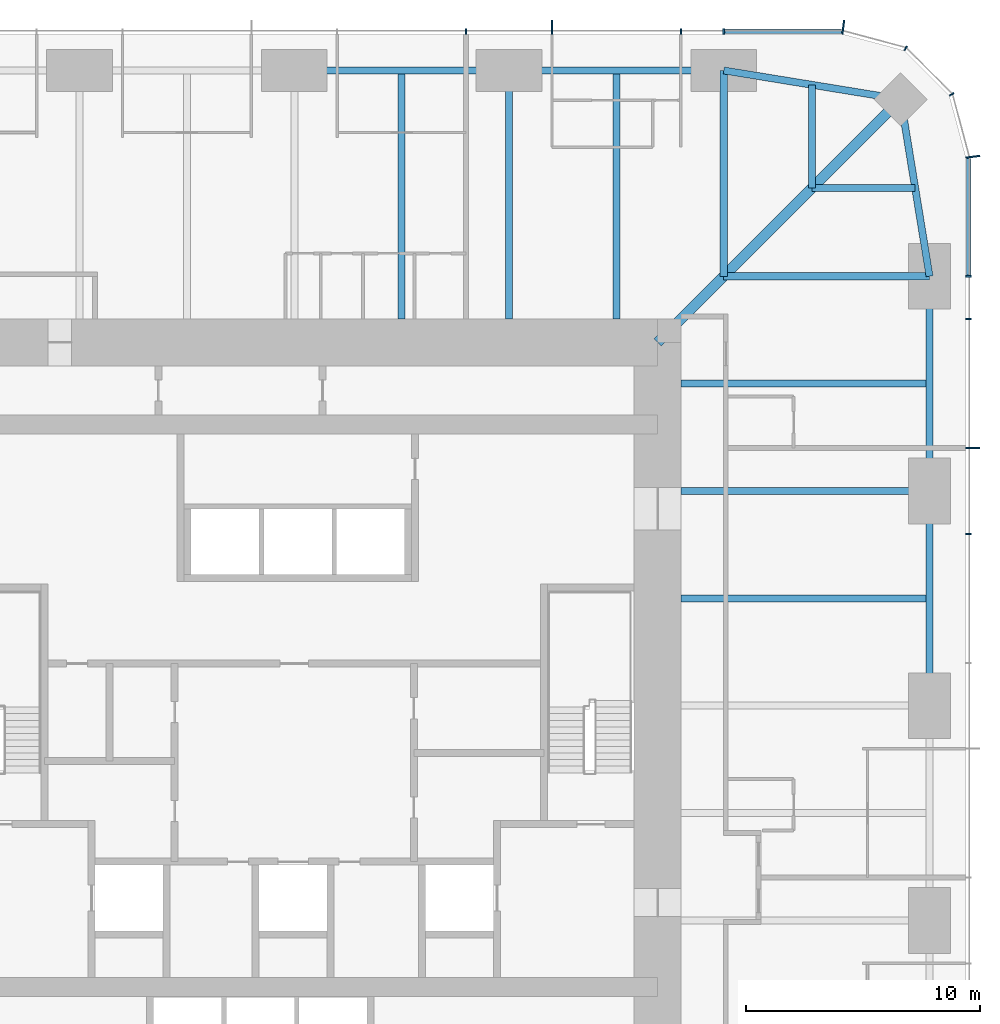
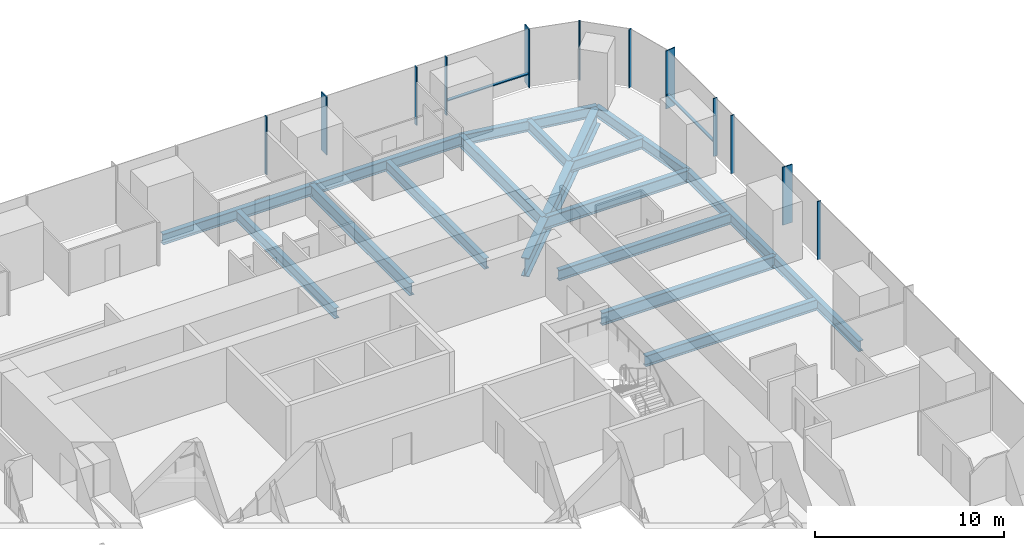
# One storey, part 6 of 13: 17 beams, 14 members, 3 elements without a shape of their own.
"""IFC4 building model written with IfcOpenShell, lengths in metres."""

from ifc_helpers import new_model, si_unit, direction, frame, origin, origin_2d, place, context, subcontext, project, spatial, rectangle, i_section, extrude, material, material_profile, profile_set, type_object, element, aggregate, save


model = new_model("IFC4")

# Units and contexts
model_context = context("Model", 3, precision=1e-05, world=origin(), true_north=direction((0.0, 1.0)))
body_context = subcontext(model_context, "Body", "Model", "MODEL_VIEW")
ifc_project = project(units=[si_unit("LENGTHUNIT", "METRE"), si_unit("AREAUNIT", "SQUARE_METRE"), si_unit("VOLUMEUNIT", "CUBIC_METRE"), si_unit("PLANEANGLEUNIT", "RADIAN"), si_unit("MASSUNIT", "GRAM", prefix="KILO")], contexts=[model_context])

# Site, building, storey
site_placement = place(None, origin())
site = spatial("IfcSite", under=ifc_project, at=site_placement, CompositionType="ELEMENT")
building_placement = place(site_placement, origin())
building = spatial("IfcBuilding", under=site, at=building_placement, Name="Khuree Lantern Residences", CompositionType="ELEMENT")
storey_placement = place(building_placement, frame((0.0, 0.0, 148.5)))
storey = spatial("IfcBuildingStorey", under=building, at=storey_placement, Name="L37", CompositionType="ELEMENT", Elevation=148.5)

# Beams
ifc_material_1 = material(Name="Steel S355", Category="steel")
ifc_material_profile_1 = material_profile(ifc_material_1, i_section(OverallWidth=0.300048828125, OverallDepth=0.68994140625, WebThickness=0.014404296875, FlangeThickness=0.027099609375, FilletRadius=0.027099609375, at=origin_2d()), Name="HE 700 A")
ifc_profile_set_1 = profile_set([ifc_material_profile_1], Name="Steel S355")
beam_type_1 = type_object("IfcBeamType", Name="B-23 SECONDARY BEAM HE 700 A", PredefinedType="BEAM", material=ifc_profile_set_1)
for number, where, z_axis, x_axis, name in (
    (1, (4.580078125, 27.10009765625, -0.594970703125), (0.0, -1.0, 0.0), (1.0, 0.0, 0.0), "Secondary beam N3"),
    (2, (13.739990234375, 27.10009765625, -0.594970703125), (0.0, -1.0, 0.0), (1.0, 0.0, 0.0), "Secondary beam N4"),
):
    element("IfcBeam", number, at=place(storey_placement, frame(where, z_axis=z_axis, x_axis=x_axis)), inside=storey, type_object=beam_type_1, Name=name, PredefinedType="BEAM", context=body_context, shape_type="SweptSolid", body=[
        extrude(i_section(OverallWidth=0.300048828125, OverallDepth=0.68994140625, WebThickness=0.014404296875, FlangeThickness=0.027099609375, FilletRadius=0.027099609375, at=origin_2d()), origin(), (0.0, 0.0, 1.0), 10.60009765625),
    ])
for number, where, z_axis, x_axis, name in (
    (3, (22.094970703125, 26.48486328125, -0.594970703125), (0.0, -1.0, 0.0), (1.0, 0.0, 0.0), "Secondary beam N5"),
    (4, (26.48486328125, 22.094970703125, -0.594970703125), (-1.0, 0.0, 0.0), (0.0, -1.0, 0.0), "Secondary beam E1"),
):
    element("IfcBeam", number, at=place(storey_placement, frame(where, z_axis=z_axis, x_axis=x_axis)), inside=storey, type_object=beam_type_1, Name=name, PredefinedType="BEAM", context=body_context, shape_type="SweptSolid", body=[
        extrude(i_section(OverallWidth=0.300048828125, OverallDepth=0.68994140625, WebThickness=0.014404296875, FlangeThickness=0.027099609375, FilletRadius=0.027099609375, at=origin_2d()), origin(), (0.0, 0.0, 1.0), 4.389892578125),
    ])
for number, where, z_axis, x_axis, name in (
    (5, (27.10009765625, 13.739990234375, -0.594970703125), (-1.0, 0.0, 0.0), (0.0, -1.0, 0.0), "Secondary beam E2"),
    (6, (27.10009765625, 4.580078125, -0.594970703125), (-1.0, 0.0, 0.0), (0.0, -1.0, 0.0), "Secondary beam E3"),
):
    element("IfcBeam", number, at=place(storey_placement, frame(where, z_axis=z_axis, x_axis=x_axis)), inside=storey, type_object=beam_type_1, Name=name, PredefinedType="BEAM", context=body_context, shape_type="SweptSolid", body=[
        extrude(i_section(OverallWidth=0.300048828125, OverallDepth=0.68994140625, WebThickness=0.014404296875, FlangeThickness=0.027099609375, FilletRadius=0.027099609375, at=origin_2d()), origin(), (0.0, 0.0, 1.0), 10.60009765625),
    ])
ifc_material_profile_2 = material_profile(ifc_material_1, i_section(OverallWidth=0.300048828125, OverallDepth=0.68994140625, WebThickness=0.014404296875, FlangeThickness=0.027099609375, FilletRadius=0.027099609375, at=origin_2d()), Name="HE 700 A")
ifc_profile_set_2 = profile_set([ifc_material_profile_2], Name="Steel S355")
beam_type_2 = type_object("IfcBeamType", Name="E-23 SPANDREL BEAM HE 700 A", PredefinedType="SPANDREL", material=ifc_profile_set_2)
beam_1_placement = place(storey_placement, frame((0.0, 27.10009765625, -0.594970703125), z_axis=(1.0, 0.0, 0.0), x_axis=(0.0, 1.0, 0.0)))
element("IfcBeam", 7, at=beam_1_placement, inside=storey, type_object=beam_type_2, Name="Spandrel beam N3", PredefinedType="SPANDREL", context=body_context, shape_type="SweptSolid", body=[
    extrude(i_section(OverallWidth=0.300048828125, OverallDepth=0.68994140625, WebThickness=0.014404296875, FlangeThickness=0.027099609375, FilletRadius=0.027099609375, at=origin_2d()), origin(), (0.0, 0.0, 1.0), 9.159912109375),
])
beam_2_placement = place(storey_placement, frame((9.159912109375, 27.10009765625, -0.594970703125), z_axis=(1.0, 0.0, 0.0), x_axis=(0.0, 1.0, 0.0)))
element("IfcBeam", 8, at=beam_2_placement, inside=storey, type_object=beam_type_2, Name="Spandrel beam N4", PredefinedType="SPANDREL", context=body_context, shape_type="SweptSolid", body=[
    extrude(i_section(OverallWidth=0.300048828125, OverallDepth=0.68994140625, WebThickness=0.014404296875, FlangeThickness=0.027099609375, FilletRadius=0.027099609375, at=origin_2d()), origin(), (0.0, 0.0, 1.0), 9.16015625),
])
for number, where, z_axis, x_axis, name in (
    (9, (18.320068359375, 27.10009765625, -0.594970703125), (0.986982656839, -0.160826723833, 0.0), (0.160826723833, 0.986982656839, 0.0), "Spandrel beam N5"),
    (10, (25.869873046875, 25.869873046875, -0.594970703125), (0.160826723833, -0.986982656839, 0.0), (0.986982656839, 0.160826723833, 0.0), "Spandrel beam E1"),
):
    element("IfcBeam", number, at=place(storey_placement, frame(where, z_axis=z_axis, x_axis=x_axis)), inside=storey, type_object=beam_type_2, Name=name, PredefinedType="SPANDREL", context=body_context, shape_type="SweptSolid", body=[
        extrude(i_section(OverallWidth=0.300048828125, OverallDepth=0.68994140625, WebThickness=0.014404296875, FlangeThickness=0.027099609375, FilletRadius=0.027099609375, at=origin_2d()), origin(), (0.0, 0.0, 1.0), 7.6494140625),
    ])
beam_3_placement = place(storey_placement, frame((27.10009765625, 18.320068359375, -0.594970703125), z_axis=(0.0, -1.0, 0.0), x_axis=(1.0, 0.0, 0.0)))
element("IfcBeam", 11, at=beam_3_placement, inside=storey, type_object=beam_type_2, Name="Spandrel beam E2", PredefinedType="SPANDREL", context=body_context, shape_type="SweptSolid", body=[
    extrude(i_section(OverallWidth=0.300048828125, OverallDepth=0.68994140625, WebThickness=0.014404296875, FlangeThickness=0.027099609375, FilletRadius=0.027099609375, at=origin_2d()), origin(), (0.0, 0.0, 1.0), 9.16015625),
])
beam_4_placement = place(storey_placement, frame((27.10009765625, 9.159912109375, -0.594970703125), z_axis=(0.0, -1.0, 0.0), x_axis=(1.0, 0.0, 0.0)))
element("IfcBeam", 12, at=beam_4_placement, inside=storey, type_object=beam_type_2, Name="Spandrel beam E3", PredefinedType="SPANDREL", context=body_context, shape_type="SweptSolid", body=[
    extrude(i_section(OverallWidth=0.300048828125, OverallDepth=0.68994140625, WebThickness=0.014404296875, FlangeThickness=0.027099609375, FilletRadius=0.027099609375, at=origin_2d()), origin(), (0.0, 0.0, 1.0), 9.159912109375),
])

# Curtain wall, member
ifc_material_2 = material(Name="Bronze anodised aluminium", Category="aluminium")
curtain_wall_type_1 = type_object("IfcCurtainWallType", Name="CW-T1 TOWER FACE CURTAIN WALL", PredefinedType="USERDEFINED", material=ifc_material_2)
curtain_wall_1_placement = place(storey_placement, origin())
curtain_wall_1 = element("IfcCurtainWall", 13, at=curtain_wall_1_placement, inside=storey, type_object=curtain_wall_type_1, Name="L37 EAST FACE CURTAIN WALL", ObjectType="Stick-built curtain wall", PredefinedType="USERDEFINED")
ifc_material_profile_3 = material_profile(ifc_material_2, rectangle(XDim=0.06494140625, YDim=0.60009765625, at=origin_2d()), Name="F1 65X600")
ifc_profile_set_3 = profile_set([ifc_material_profile_3], Name="Bronze anodised aluminium")
member_type_1 = type_object("IfcMemberType", Name="F1 BRONZE FIN MULLION TOWER 65X600", PredefinedType="MULLION", material=ifc_profile_set_3)
member_1_placement = place(storey_placement, frame((28.949951171875, 10.991943359375, 0.0), z_axis=(0.0, 0.0, 1.0), x_axis=(0.0, 1.0, 0.0)))
member_1 = element("IfcMember", 14, at=member_1_placement, type_object=member_type_1, Name="L37 EAST FACE FIN MULLION 12", PredefinedType="MULLION", context=body_context, shape_type="SweptSolid", body=[
    extrude(rectangle(XDim=0.06494140625, YDim=0.60009765625, at=origin_2d()), origin(), (0.0, 0.0, 1.0), 3.75),
])

curtain_wall_type_2 = type_object("IfcCurtainWallType", Name="CW-T2 TOWER CORNER CURTAIN WALL", PredefinedType="USERDEFINED", material=ifc_material_2)
curtain_wall_2_placement = place(storey_placement, origin())
curtain_wall_2 = element("IfcCurtainWall", 15, at=curtain_wall_2_placement, inside=storey, type_object=curtain_wall_type_2, Name="L37 NORTH-EAST CORNER CURTAIN WALL", ObjectType="Faceted corner curtain wall", PredefinedType="USERDEFINED")
member_2_placement = place(storey_placement, frame((28.9501953125, 23.419677734375, 0.0), z_axis=(0.0, 0.0, 1.0), x_axis=(-0.130526223125, 0.991444857305, 0.0)))
member_2 = element("IfcMember", 16, at=member_2_placement, type_object=member_type_1, Name="L37 NORTH-EAST CORNER FIN MULLION 15", PredefinedType="MULLION", context=body_context, shape_type="SweptSolid", body=[
    extrude(rectangle(XDim=0.06494140625, YDim=0.60009765625, at=origin_2d()), origin(), (0.0, 0.0, 1.0), 3.75),
])

# Curtain wall, members
curtain_wall_3_placement = place(storey_placement, origin())
curtain_wall_3 = element("IfcCurtainWall", 17, at=curtain_wall_3_placement, inside=storey, type_object=curtain_wall_type_1, Name="L37 NORTH FACE CURTAIN WALL", ObjectType="Stick-built curtain wall", PredefinedType="USERDEFINED")
member_3_placement = place(storey_placement, frame((23.419677734375, 28.9501953125, 0.0), z_axis=(0.0, 0.0, 1.0), x_axis=(-0.991444857305, 0.130526223125, 0.0)))
member_3 = element("IfcMember", 18, at=member_3_placement, type_object=member_type_1, Name="L37 NORTH FACE FIN MULLION 18", PredefinedType="MULLION", context=body_context, shape_type="SweptSolid", body=[
    extrude(rectangle(XDim=0.06494140625, YDim=0.60009765625, at=origin_2d()), origin(), (0.0, 0.0, 1.0), 3.75),
])
member_4_placement = place(storey_placement, frame((10.991943359375, 28.949951171875, 0.0), z_axis=(0.0, 0.0, 1.0), x_axis=(-1.0, 0.0, 0.0)))
member_4 = element("IfcMember", 19, at=member_4_placement, type_object=member_type_1, Name="L37 NORTH FACE FIN MULLION 21", PredefinedType="MULLION", context=body_context, shape_type="SweptSolid", body=[
    extrude(rectangle(XDim=0.06494140625, YDim=0.60009765625, at=origin_2d()), origin(), (0.0, 0.0, 1.0), 3.75),
])

# Beams
ifc_material_profile_4 = material_profile(ifc_material_1, i_section(OverallWidth=0.300048828125, OverallDepth=0.800048828125, WebThickness=0.017578125, FlangeThickness=0.032958984375, FilletRadius=0.030029296875, at=origin_2d()), Name="HE 800 B")
ifc_profile_set_4 = profile_set([ifc_material_profile_4], Name="Steel S355")
beam_type_3 = type_object("IfcBeamType", Name="G-23 GIRDER HE 800 B", PredefinedType="BEAM", material=ifc_profile_set_4)
beam_5_placement = place(storey_placement, frame((9.159912109375, 27.10009765625, -0.64990234375), z_axis=(0.0, -1.0, 0.0), x_axis=(1.0, 0.0, 0.0)))
element("IfcBeam", 20, at=beam_5_placement, inside=storey, type_object=beam_type_3, Name="Girder N4", PredefinedType="BEAM", context=body_context, shape_type="SweptSolid", body=[
    extrude(i_section(OverallWidth=0.300048828125, OverallDepth=0.800048828125, WebThickness=0.017578125, FlangeThickness=0.032958984375, FilletRadius=0.030029296875, at=origin_2d()), origin(), (0.0, 0.0, 1.0), 10.60009765625),
])
for number, where, z_axis, x_axis, name in (
    (21, (18.320068359375, 27.10009765625, -0.64990234375), (0.0, -1.0, 0.0), (1.0, 0.0, 0.0), "Girder N5"),
    (22, (27.10009765625, 18.320068359375, -0.64990234375), (-1.0, 0.0, 0.0), (0.0, -1.0, 0.0), "Girder E1"),
):
    element("IfcBeam", number, at=place(storey_placement, frame(where, z_axis=z_axis, x_axis=x_axis)), inside=storey, type_object=beam_type_3, Name=name, PredefinedType="BEAM", context=body_context, shape_type="SweptSolid", body=[
        extrude(i_section(OverallWidth=0.300048828125, OverallDepth=0.800048828125, WebThickness=0.017578125, FlangeThickness=0.032958984375, FilletRadius=0.030029296875, at=origin_2d()), origin(), (0.0, 0.0, 1.0), 8.780029296875),
    ])
beam_6_placement = place(storey_placement, frame((27.10009765625, 9.159912109375, -0.64990234375), z_axis=(-1.0, 0.0, 0.0), x_axis=(0.0, -1.0, 0.0)))
element("IfcBeam", 23, at=beam_6_placement, inside=storey, type_object=beam_type_3, Name="Girder E2", PredefinedType="BEAM", context=body_context, shape_type="SweptSolid", body=[
    extrude(i_section(OverallWidth=0.300048828125, OverallDepth=0.800048828125, WebThickness=0.017578125, FlangeThickness=0.032958984375, FilletRadius=0.030029296875, at=origin_2d()), origin(), (0.0, 0.0, 1.0), 10.60009765625),
])
ifc_material_profile_5 = material_profile(ifc_material_1, i_section(OverallWidth=0.449951171875, OverallDepth=1.199951171875, WebThickness=0.02490234375, FlangeThickness=0.044921875, at=origin_2d()), Name="WELDED I 1200X450X25X45")
ifc_profile_set_5 = profile_set([ifc_material_profile_5], Name="Steel S355")
beam_type_4 = type_object("IfcBeamType", Name="GD-23 CORNER GIRDER WELDED I 1200X450X25X45", PredefinedType="BEAM", material=ifc_profile_set_5)
beam_7_placement = place(storey_placement, frame((25.869873046875, 25.869873046875, -0.85009765625), z_axis=(-0.707106781187, -0.707106781187, 0.0), x_axis=(0.707106781187, -0.707106781187, 0.0)))
element("IfcBeam", 24, at=beam_7_placement, inside=storey, type_object=beam_type_4, Name="Corner girder NE", PredefinedType="BEAM", context=body_context, shape_type="SweptSolid", body=[
    extrude(i_section(OverallWidth=0.449951171875, OverallDepth=1.199951171875, WebThickness=0.02490234375, FlangeThickness=0.044921875, at=origin_2d()), origin(), (0.0, 0.0, 1.0), 14.665283203125),
])

# Member
ifc_material_profile_6 = material_profile(ifc_material_2, rectangle(XDim=0.06494140625, YDim=0.219970703125, at=origin_2d()), Name="M1 65X220")
ifc_profile_set_6 = profile_set([ifc_material_profile_6], Name="Bronze anodised aluminium")
member_type_2 = type_object("IfcMemberType", Name="M1 BRONZE MULLION TOWER 65X220", PredefinedType="MULLION", material=ifc_profile_set_6)
member_5_placement = place(storey_placement, frame((28.760009765625, 7.327880859375, 0.0), z_axis=(0.0, 0.0, 1.0), x_axis=(0.0, 1.0, 0.0)))
member_5 = element("IfcMember", 25, at=member_5_placement, type_object=member_type_2, Name="L37 EAST FACE MULLION 11", PredefinedType="MULLION", context=body_context, shape_type="SweptSolid", body=[
    extrude(rectangle(XDim=0.06494140625, YDim=0.219970703125, at=origin_2d()), origin(), (0.0, 0.0, 1.0), 3.75),
])

member_6_placement = place(storey_placement, frame((28.760009765625, 16.488037109375, 0.0), z_axis=(0.0, 0.0, 1.0), x_axis=(0.0, 1.0, 0.0)))
member_6 = element("IfcMember", 26, at=member_6_placement, type_object=member_type_2, Name="L37 EAST FACE MULLION 13", PredefinedType="MULLION", context=body_context, shape_type="SweptSolid", body=[
    extrude(rectangle(XDim=0.06494140625, YDim=0.219970703125, at=origin_2d()), origin(), (0.0, 0.0, 1.0), 3.75),
])

member_7_placement = place(storey_placement, frame((28.760009765625, 18.320068359375, 0.0), z_axis=(0.0, 0.0, 1.0), x_axis=(0.0, 1.0, 0.0)))
member_7 = element("IfcMember", 27, at=member_7_placement, type_object=member_type_2, Name="L37 EAST FACE MULLION 14", PredefinedType="MULLION", context=body_context, shape_type="SweptSolid", body=[
    extrude(rectangle(XDim=0.06494140625, YDim=0.219970703125, at=origin_2d()), origin(), (0.0, 0.0, 1.0), 3.75),
])

member_8_placement = place(storey_placement, frame((28.0419921875, 26.080078125, 0.0), z_axis=(0.0, 0.0, 1.0), x_axis=(-0.500000026995, 0.866025388199, 0.0)))
member_8 = element("IfcMember", 28, at=member_8_placement, type_object=member_type_2, Name="L37 NORTH-EAST CORNER MULLION 16", PredefinedType="MULLION", context=body_context, shape_type="SweptSolid", body=[
    extrude(rectangle(XDim=0.06494140625, YDim=0.219970703125, at=origin_2d()), origin(), (0.0, 0.0, 1.0), 3.75),
])

member_9_placement = place(storey_placement, frame((26.080078125, 28.0419921875, 0.0), z_axis=(0.0, 0.0, 1.0), x_axis=(-0.866025388199, 0.500000026995, 0.0)))
member_9 = element("IfcMember", 29, at=member_9_placement, type_object=member_type_2, Name="L37 NORTH-EAST CORNER MULLION 17", PredefinedType="MULLION", context=body_context, shape_type="SweptSolid", body=[
    extrude(rectangle(XDim=0.06494140625, YDim=0.219970703125, at=origin_2d()), origin(), (0.0, 0.0, 1.0), 3.75),
])

aggregate(curtain_wall_2, [member_2, member_8, member_9])

member_10_placement = place(storey_placement, frame((18.320068359375, 28.760009765625, 0.0), z_axis=(0.0, 0.0, 1.0), x_axis=(-1.0, 0.0, 0.0)))
member_10 = element("IfcMember", 30, at=member_10_placement, type_object=member_type_2, Name="L37 NORTH FACE MULLION 19", PredefinedType="MULLION", context=body_context, shape_type="SweptSolid", body=[
    extrude(rectangle(XDim=0.06494140625, YDim=0.219970703125, at=origin_2d()), origin(), (0.0, 0.0, 1.0), 3.75),
])

member_11_placement = place(storey_placement, frame((16.488037109375, 28.760009765625, 0.0), z_axis=(0.0, 0.0, 1.0), x_axis=(-1.0, 0.0, 0.0)))
member_11 = element("IfcMember", 31, at=member_11_placement, type_object=member_type_2, Name="L37 NORTH FACE MULLION 20", PredefinedType="MULLION", context=body_context, shape_type="SweptSolid", body=[
    extrude(rectangle(XDim=0.06494140625, YDim=0.219970703125, at=origin_2d()), origin(), (0.0, 0.0, 1.0), 3.75),
])

member_12_placement = place(storey_placement, frame((7.327880859375, 28.760009765625, 0.0), z_axis=(0.0, 0.0, 1.0), x_axis=(-1.0, 0.0, 0.0)))
member_12 = element("IfcMember", 32, at=member_12_placement, type_object=member_type_2, Name="L37 NORTH FACE MULLION 22", PredefinedType="MULLION", context=body_context, shape_type="SweptSolid", body=[
    extrude(rectangle(XDim=0.06494140625, YDim=0.219970703125, at=origin_2d()), origin(), (0.0, 0.0, 1.0), 3.75),
])

ifc_material_profile_7 = material_profile(ifc_material_2, rectangle(XDim=0.179931640625, YDim=0.06494140625, at=origin_2d()), Name="T1 180X65")
ifc_profile_set_7 = profile_set([ifc_material_profile_7], Name="Bronze anodised aluminium")
member_type_3 = type_object("IfcMemberType", Name="TRANSOM T1 TOWER 180X65", PredefinedType="USERDEFINED", material=ifc_profile_set_7)
member_13_placement = place(storey_placement, frame((28.77001953125, 18.3525390625, 0.89990234375), z_axis=(0.0, 1.0, 0.0), x_axis=(-1.0, 0.0, 0.0)))
member_13 = element("IfcMember", 33, at=member_13_placement, type_object=member_type_3, Name="L37 EAST FACE TRANSOM 14.1", ObjectType="Transom", PredefinedType="USERDEFINED", context=body_context, shape_type="SweptSolid", body=[
    extrude(rectangle(XDim=0.179931640625, YDim=0.06494140625, at=origin_2d()), origin(), (0.0, 0.0, 1.0), 4.998779296875),
])

aggregate(curtain_wall_1, [member_5, member_1, member_6, member_7, member_13])

member_14_placement = place(storey_placement, frame((23.351318359375, 28.77001953125, 0.89990234375), z_axis=(-1.0, 0.0, 0.0), x_axis=(0.0, -1.0, 0.0)))
member_14 = element("IfcMember", 34, at=member_14_placement, type_object=member_type_3, Name="L37 NORTH FACE TRANSOM 18.1", ObjectType="Transom", PredefinedType="USERDEFINED", context=body_context, shape_type="SweptSolid", body=[
    extrude(rectangle(XDim=0.179931640625, YDim=0.06494140625, at=origin_2d()), origin(), (0.0, 0.0, 1.0), 4.998779296875),
])

aggregate(curtain_wall_3, [member_3, member_10, member_11, member_4, member_12, member_14])

save(model, "model.ifc")
